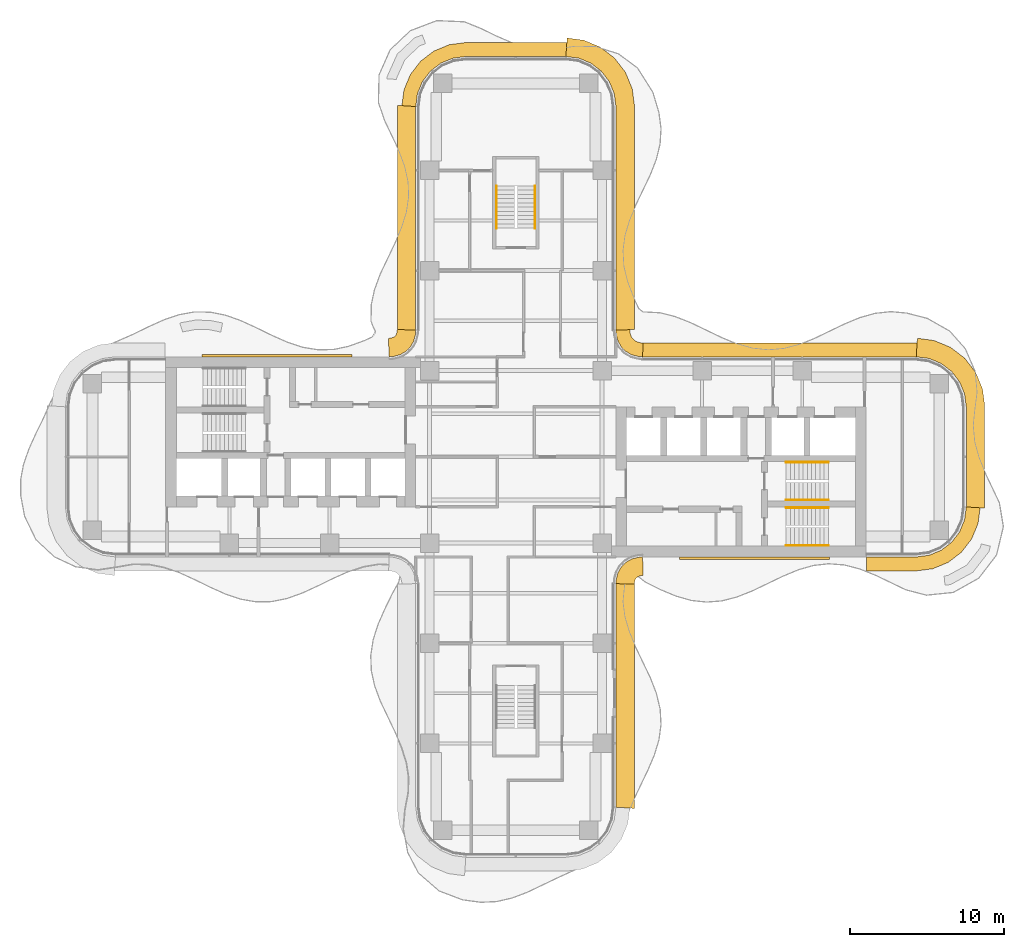
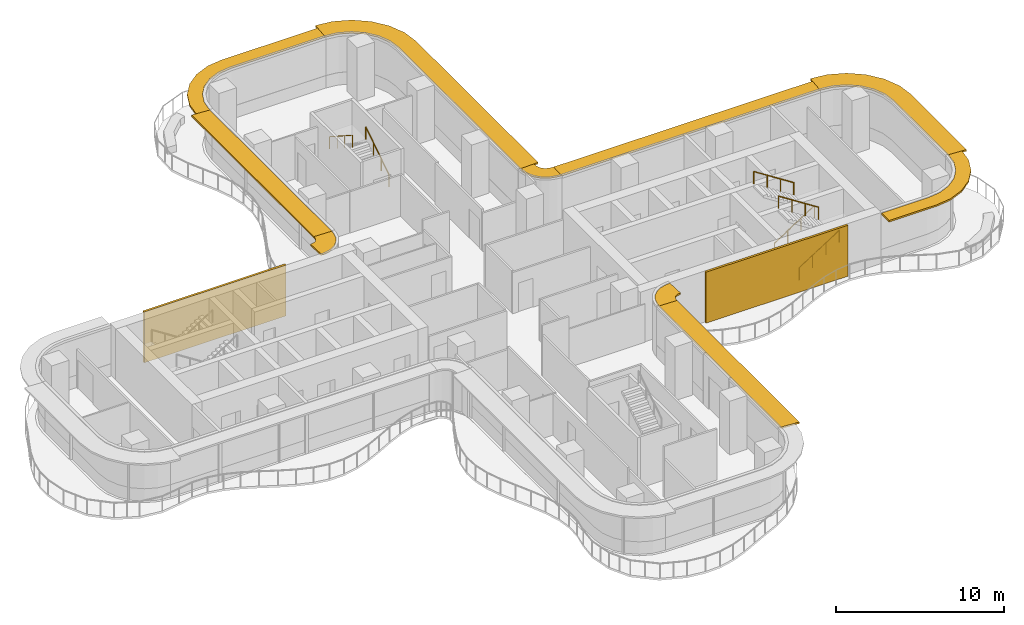
# One storey, part 17 of 17: 10 shading devices, 6 railings, 2 coverings.
"""IFC4 building model written with IfcOpenShell, lengths in metres."""

from ifc_helpers import new_model, si_unit, direction, frame, origin, origin_2d, place, context, subcontext, project, spatial, polyline, circle, outline, extrude, source, transform, mapped, material, layer, layer_set, type_object, element, save


model = new_model("IFC4")

# Units and contexts
model_context = context("Model", 3, precision=1e-05, world=origin(), true_north=direction((0.0, 1.0)))
body_context = subcontext(model_context, "Body", "Model", "MODEL_VIEW")
ifc_project = project(units=[si_unit("LENGTHUNIT", "METRE"), si_unit("AREAUNIT", "SQUARE_METRE"), si_unit("VOLUMEUNIT", "CUBIC_METRE"), si_unit("PLANEANGLEUNIT", "RADIAN"), si_unit("MASSUNIT", "GRAM", prefix="KILO")], contexts=[model_context])

# Site, building, storey
site_placement = place(None, origin())
site = spatial("IfcSite", under=ifc_project, at=site_placement, CompositionType="ELEMENT")
building_placement = place(site_placement, origin())
building = spatial("IfcBuilding", under=site, at=building_placement, Name="Trellis Farm Tower", CompositionType="ELEMENT")
storey_placement = place(building_placement, frame((0.0, 0.0, 165.89990234375)))
storey = spatial("IfcBuildingStorey", under=building, at=storey_placement, Name="L35", CompositionType="ELEMENT", Elevation=165.89990234375)

# Railings
ifc_material_1 = material(Name="Stainless steel", Category="steel")
railing_type = type_object("IfcRailingType", Name="STAIR HANDRAIL 900", PredefinedType="HANDRAIL", material=ifc_material_1)
shared_shape_1 = source(origin(), body_context, "Body", "SweptSolid", [
    extrude(circle(Radius=0.02392578125, at=origin_2d()), frame((0.0, 0.0, 0.8759765625), z_axis=(0.0, 0.840503830235, 0.541805602924), x_axis=(-1.0, 0.0, 0.0)), (0.0, 0.0, 1.0), 3.271728515625),
    extrude(circle(Radius=0.02099609375, at=origin_2d()), origin(), (0.0, 0.0, 1.0), 0.851806640625),
    extrude(circle(Radius=0.02099609375, at=origin_2d()), frame((0.0, 0.916748046875, 0.5908203125)), (0.0, 0.0, 1.0), 0.851806640625),
    extrude(circle(Radius=0.02099609375, at=origin_2d()), frame((0.0, 1.833251953125, 1.181884765625)), (0.0, 0.0, 1.0), 0.851806640625),
    extrude(circle(Radius=0.02099609375, at=origin_2d()), frame((0.0, 2.75, 1.772705078125)), (0.0, 0.0, 1.0), 0.851806640625),
])
railing_1_placement = place(storey_placement, frame((1.25, 14.85009765625, 0.177490234375)))
element("IfcRailing", 1, at=railing_1_placement, inside=storey, type_object=railing_type, Name="Stair handrail", PredefinedType="HANDRAIL", context=body_context, shape_type="MappedRepresentation", body=[
    mapped(shared_shape_1, transform((0.0, 0.0, 0.0))),
])
shared_shape_2 = source(origin(), body_context, "Body", "SweptSolid", [
    extrude(circle(Radius=0.02392578125, at=origin_2d()), frame((0.0, 0.0, 0.8759765625), z_axis=(0.0, -0.840503830235, 0.541805602924), x_axis=(1.0, 0.0, 0.0)), (0.0, 0.0, 1.0), 3.271728515625),
    extrude(circle(Radius=0.02099609375, at=origin_2d()), origin(), (0.0, 0.0, 1.0), 0.851806640625),
    extrude(circle(Radius=0.02099609375, at=origin_2d()), frame((0.0, -0.916748046875, 0.5908203125)), (0.0, 0.0, 1.0), 0.851806640625),
    extrude(circle(Radius=0.02099609375, at=origin_2d()), frame((0.0, -1.833251953125, 1.181884765625)), (0.0, 0.0, 1.0), 0.851806640625),
    extrude(circle(Radius=0.02099609375, at=origin_2d()), frame((0.0, -2.75, 1.772705078125)), (0.0, 0.0, 1.0), 0.851806640625),
])
railing_2_placement = place(storey_placement, frame((-1.25, 17.60009765625, 2.12744140625)))
element("IfcRailing", 2, at=railing_2_placement, inside=storey, type_object=railing_type, Name="Stair handrail", PredefinedType="HANDRAIL", context=body_context, shape_type="MappedRepresentation", body=[
    mapped(shared_shape_2, transform((0.0, 0.0, 0.0))),
])
shared_shape_3 = source(origin(), body_context, "Body", "SweptSolid", [
    extrude(circle(Radius=0.02392578125, at=origin_2d()), frame((0.0, 0.0, 0.8759765625), z_axis=(0.840503830235, 0.0, 0.541805602924), x_axis=(0.0, 1.0, 0.0)), (0.0, 0.0, 1.0), 3.271728515625),
    extrude(circle(Radius=0.02099609375, at=origin_2d()), origin(), (0.0, 0.0, 1.0), 0.851806640625),
    extrude(circle(Radius=0.02099609375, at=origin_2d()), frame((0.916748046875, 0.0, 0.5908203125)), (0.0, 0.0, 1.0), 0.851806640625),
    extrude(circle(Radius=0.02099609375, at=origin_2d()), frame((1.833251953125, 0.0, 1.181884765625)), (0.0, 0.0, 1.0), 0.851806640625),
    extrude(circle(Radius=0.02099609375, at=origin_2d()), frame((2.75, 0.0, 1.772705078125)), (0.0, 0.0, 1.0), 0.851806640625),
])
for number, where, name in (
    (3, (17.550048828125, -5.75, 0.177490234375), "Stair handrail"),
    (4, (17.550048828125, -2.800048828125, 0.177490234375), "Stair handrail"),
):
    element("IfcRailing", number, at=place(storey_placement, frame(where)), inside=storey, type_object=railing_type, Name=name, PredefinedType="HANDRAIL", context=body_context, shape_type="MappedRepresentation", body=[
        mapped(shared_shape_3, transform((0.0, 0.0, 0.0))),
    ])
shared_shape_4 = source(origin(), body_context, "Body", "SweptSolid", [
    extrude(circle(Radius=0.02392578125, at=origin_2d()), frame((0.0, 0.0, 0.8759765625), z_axis=(-0.840503830235, 0.0, 0.541805602924), x_axis=(0.0, -1.0, 0.0)), (0.0, 0.0, 1.0), 3.271728515625),
    extrude(circle(Radius=0.02099609375, at=origin_2d()), origin(), (0.0, 0.0, 1.0), 0.851806640625),
    extrude(circle(Radius=0.02099609375, at=origin_2d()), frame((-0.916748046875, 0.0, 0.5908203125)), (0.0, 0.0, 1.0), 0.851806640625),
    extrude(circle(Radius=0.02099609375, at=origin_2d()), frame((-1.833251953125, 0.0, 1.181884765625)), (0.0, 0.0, 1.0), 0.851806640625),
    extrude(circle(Radius=0.02099609375, at=origin_2d()), frame((-2.75, 0.0, 1.772705078125)), (0.0, 0.0, 1.0), 0.851806640625),
])
for number, where, name in (
    (5, (20.300048828125, -3.300048828125, 2.12744140625), "Stair handrail"),
    (6, (20.300048828125, -0.35009765625, 2.12744140625), "Stair handrail"),
):
    element("IfcRailing", number, at=place(storey_placement, frame(where)), inside=storey, type_object=railing_type, Name=name, PredefinedType="HANDRAIL", context=body_context, shape_type="MappedRepresentation", body=[
        mapped(shared_shape_4, transform((0.0, 0.0, 0.0))),
    ])

# Shading devices
ifc_material_2 = material(Name="Aluminium extrusion 6063-T6", Category="aluminium")
ifc_layer_1 = layer(ifc_material_2, 0.1201171875)
ifc_layer_set_1 = layer_set([ifc_layer_1], Name="SUNSHADE BLADE 1200")
shading_device_type_1 = type_object("IfcShadingDeviceType", Name="SUNSHADE BLADE 1200", PredefinedType="USERDEFINED", material=ifc_layer_set_1)
shared_shape_5 = source(origin(), body_context, "Body", "SweptSolid", [
    extrude(outline(polyline([(7.699951171875, -22.82861328125), (7.699951171875, -8.270751953125), (6.5, -8.2314453125), (6.5, -22.75), (7.699951171875, -22.82861328125)])), origin(), (0.0, 0.0, 1.0), 0.1201171875),
])
placement_1 = place(storey_placement, frame((0.0, 0.0, 3.5400390625)))
element("IfcShadingDevice", 7, at=placement_1, inside=storey, type_object=shading_device_type_1, Name="SD2 005", ObjectType="SUNSHADE", PredefinedType="USERDEFINED", context=body_context, shape_type="MappedRepresentation", body=[
    mapped(shared_shape_5, transform((0.0, 0.0, 0.0))),
])
shared_shape_6 = source(origin(), body_context, "Body", "SweptSolid", [
    extrude(outline(polyline([(7.699951171875, -8.270751953125), (7.708740234375, -8.13720703125), (7.70703125, -8.150146484375), (7.7548828125, -7.9716796875), (7.80712890625, -7.881103515625), (7.881103515625, -7.80712890625), (7.9716796875, -7.7548828125), (8.150146484375, -7.70703125), (8.13720703125, -7.708740234375), (8.270751953125, -7.699951171875), (8.2314453125, -6.5), (8.01953125, -6.513916015625), (7.91552734375, -6.527587890625), (7.508544921875, -6.63671875), (7.144287109375, -6.846923828125), (6.846923828125, -7.144287109375), (6.63671875, -7.508544921875), (6.527587890625, -7.91552734375), (6.513916015625, -8.01953125), (6.5, -8.2314453125), (7.699951171875, -8.270751953125)])), origin(), (0.0, 0.0, 1.0), 0.1201171875),
])
element("IfcShadingDevice", 8, at=placement_1, inside=storey, type_object=shading_device_type_1, Name="SD2 006", ObjectType="SUNSHADE", PredefinedType="USERDEFINED", context=body_context, shape_type="MappedRepresentation", body=[
    mapped(shared_shape_6, transform((0.0, 0.0, 0.0))),
])
ifc_layer_2 = layer(ifc_material_2, 0.1201171875)
ifc_layer_set_2 = layer_set([ifc_layer_2], Name="SUNSHADE BLADE 900")
shading_device_type_2 = type_object("IfcShadingDeviceType", Name="SUNSHADE BLADE 900", PredefinedType="USERDEFINED", material=ifc_layer_set_2)
shared_shape_7 = source(origin(), body_context, "Body", "SweptSolid", [
    extrude(outline(polyline([(22.780029296875, -7.39990234375), (26.05908203125, -7.39990234375), (27.076171875, -7.26611328125), (28.078857421875, -6.850830078125), (28.93994140625, -6.18994140625), (29.600830078125, -5.328857421875), (30.01611328125, -4.326171875), (30.14990234375, -3.30908203125), (29.25, -3.25), (29.13916015625, -4.091064453125), (28.814697265625, -4.875), (28.298095703125, -5.548095703125), (27.625, -6.064697265625), (26.841064453125, -6.38916015625), (26.0, -6.5), (22.780029296875, -6.5), (22.780029296875, -7.39990234375)])), origin(), (0.0, 0.0, 1.0), 0.1201171875),
])
element("IfcShadingDevice", 9, at=placement_1, inside=storey, type_object=shading_device_type_2, Name="SD1 007", ObjectType="SUNSHADE", PredefinedType="USERDEFINED", context=body_context, shape_type="MappedRepresentation", body=[
    mapped(shared_shape_7, transform((0.0, 0.0, 0.0))),
])
shared_shape_8 = source(origin(), body_context, "Body", "SweptSolid", [
    extrude(outline(polyline([(30.449951171875, -3.32861328125), (30.449951171875, 3.32861328125), (30.308349609375, 4.404541015625), (29.86279296875, 5.480224609375), (29.154052734375, 6.404052734375), (28.230224609375, 7.11279296875), (27.154541015625, 7.558349609375), (26.07861328125, 7.699951171875), (26.0, 6.5), (26.841064453125, 6.38916015625), (27.625, 6.064697265625), (28.298095703125, 5.548095703125), (28.814697265625, 4.875), (29.13916015625, 4.091064453125), (29.25, 3.25), (29.25, -3.25), (30.449951171875, -3.32861328125)])), origin(), (0.0, 0.0, 1.0), 0.1201171875),
])
element("IfcShadingDevice", 10, at=placement_1, inside=storey, type_object=shading_device_type_1, Name="SD2 008", ObjectType="SUNSHADE", PredefinedType="USERDEFINED", context=body_context, shape_type="MappedRepresentation", body=[
    mapped(shared_shape_8, transform((0.0, 0.0, 0.0))),
])
shared_shape_9 = source(origin(), body_context, "Body", "SweptSolid", [
    extrude(outline(polyline([(26.05908203125, 7.39990234375), (8.2607421875, 7.39990234375), (8.2314453125, 6.5), (26.0, 6.5), (26.05908203125, 7.39990234375)])), origin(), (0.0, 0.0, 1.0), 0.1201171875),
])
element("IfcShadingDevice", 11, at=placement_1, inside=storey, type_object=shading_device_type_2, Name="SD1 009", ObjectType="SUNSHADE", PredefinedType="USERDEFINED", context=body_context, shape_type="MappedRepresentation", body=[
    mapped(shared_shape_9, transform((0.0, 0.0, 0.0))),
])
shared_shape_10 = source(origin(), body_context, "Body", "SweptSolid", [
    extrude(outline(polyline([(8.2607421875, 7.39990234375), (8.107666015625, 7.409912109375), (8.091552734375, 7.412109375), (7.85595703125, 7.475341796875), (7.697021484375, 7.567138671875), (7.567138671875, 7.697021484375), (7.475341796875, 7.85595703125), (7.412109375, 8.091552734375), (7.409912109375, 8.107666015625), (7.39990234375, 8.2607421875), (6.5, 8.2314453125), (6.513916015625, 8.01953125), (6.527587890625, 7.91552734375), (6.63671875, 7.508544921875), (6.846923828125, 7.144287109375), (7.144287109375, 6.846923828125), (7.508544921875, 6.63671875), (7.91552734375, 6.527587890625), (8.01953125, 6.513916015625), (8.2314453125, 6.5), (8.2607421875, 7.39990234375)])), origin(), (0.0, 0.0, 1.0), 0.1201171875),
])
element("IfcShadingDevice", 12, at=placement_1, inside=storey, type_object=shading_device_type_2, Name="SD1 010", ObjectType="SUNSHADE", PredefinedType="USERDEFINED", context=body_context, shape_type="MappedRepresentation", body=[
    mapped(shared_shape_10, transform((0.0, 0.0, 0.0))),
])
shared_shape_11 = source(origin(), body_context, "Body", "SweptSolid", [
    extrude(outline(polyline([(7.699951171875, 8.270751953125), (7.699951171875, 22.82861328125), (7.558349609375, 23.904541015625), (7.11279296875, 24.980224609375), (6.404052734375, 25.904052734375), (5.480224609375, 26.61279296875), (4.404541015625, 27.058349609375), (3.32861328125, 27.199951171875), (3.25, 26.0), (4.091064453125, 25.88916015625), (4.875, 25.564697265625), (5.548095703125, 25.048095703125), (6.064697265625, 24.375), (6.38916015625, 23.591064453125), (6.5, 22.75), (6.5, 8.2314453125), (7.699951171875, 8.270751953125)])), origin(), (0.0, 0.0, 1.0), 0.1201171875),
])
element("IfcShadingDevice", 13, at=placement_1, inside=storey, type_object=shading_device_type_1, Name="SD2 011", ObjectType="SUNSHADE", PredefinedType="USERDEFINED", context=body_context, shape_type="MappedRepresentation", body=[
    mapped(shared_shape_11, transform((0.0, 0.0, 0.0))),
])
shared_shape_12 = source(origin(), body_context, "Body", "SweptSolid", [
    extrude(outline(polyline([(3.30908203125, 26.89990234375), (-3.30908203125, 26.89990234375), (-4.326171875, 26.76611328125), (-5.328857421875, 26.350830078125), (-6.18994140625, 25.68994140625), (-6.850830078125, 24.828857421875), (-7.26611328125, 23.826171875), (-7.39990234375, 22.80908203125), (-6.5, 22.75), (-6.38916015625, 23.591064453125), (-6.064697265625, 24.375), (-5.548095703125, 25.048095703125), (-4.875, 25.564697265625), (-4.091064453125, 25.88916015625), (-3.25, 26.0), (3.25, 26.0), (3.30908203125, 26.89990234375)])), origin(), (0.0, 0.0, 1.0), 0.1201171875),
])
element("IfcShadingDevice", 14, at=placement_1, inside=storey, type_object=shading_device_type_2, Name="SD1 012", ObjectType="SUNSHADE", PredefinedType="USERDEFINED", context=body_context, shape_type="MappedRepresentation", body=[
    mapped(shared_shape_12, transform((0.0, 0.0, 0.0))),
])
shared_shape_13 = source(origin(), body_context, "Body", "SweptSolid", [
    extrude(outline(polyline([(-7.699951171875, 22.82861328125), (-7.699951171875, 8.270751953125), (-6.5, 8.2314453125), (-6.5, 22.75), (-7.699951171875, 22.82861328125)])), origin(), (0.0, 0.0, 1.0), 0.1201171875),
])
element("IfcShadingDevice", 15, at=placement_1, inside=storey, type_object=shading_device_type_1, Name="SD2 013", ObjectType="SUNSHADE", PredefinedType="USERDEFINED", context=body_context, shape_type="MappedRepresentation", body=[
    mapped(shared_shape_13, transform((0.0, 0.0, 0.0))),
])
shared_shape_14 = source(origin(), body_context, "Body", "SweptSolid", [
    extrude(outline(polyline([(-7.699951171875, 8.270751953125), (-7.708740234375, 8.13720703125), (-7.70703125, 8.150146484375), (-7.7548828125, 7.9716796875), (-7.80712890625, 7.881103515625), (-7.881103515625, 7.80712890625), (-7.9716796875, 7.7548828125), (-8.150146484375, 7.70703125), (-8.13720703125, 7.708740234375), (-8.270751953125, 7.699951171875), (-8.2314453125, 6.5), (-8.01953125, 6.513916015625), (-7.91552734375, 6.527587890625), (-7.508544921875, 6.63671875), (-7.144287109375, 6.846923828125), (-6.846923828125, 7.144287109375), (-6.63671875, 7.508544921875), (-6.527587890625, 7.91552734375), (-6.513916015625, 8.01953125), (-6.5, 8.2314453125), (-7.699951171875, 8.270751953125)])), origin(), (0.0, 0.0, 1.0), 0.1201171875),
])
element("IfcShadingDevice", 16, at=placement_1, inside=storey, type_object=shading_device_type_1, Name="SD2 014", ObjectType="SUNSHADE", PredefinedType="USERDEFINED", context=body_context, shape_type="MappedRepresentation", body=[
    mapped(shared_shape_14, transform((0.0, 0.0, 0.0))),
])

# Coverings
ifc_material_3 = material(Name="Perforated precast screen (cobogo)", Category="concrete")
ifc_layer_3 = layer(ifc_material_3, 0.14990234375)
ifc_layer_set_3 = layer_set([ifc_layer_3], Name="COBOGO SCREEN PANEL")
covering_type = type_object("IfcCoveringType", Name="COBOGO SCREEN PANEL", PredefinedType="USERDEFINED", material=ifc_layer_set_3)
shared_shape_15 = source(origin(), body_context, "Body", "SweptSolid", [
    extrude(outline(polyline([(10.630615234375, -6.64990234375), (20.380615234375, -6.64990234375), (20.380615234375, -6.5), (10.630615234375, -6.5), (10.630615234375, -6.64990234375)])), origin(), (0.0, 0.0, 1.0), 3.7001953125),
])
placement_2 = place(storey_placement, origin())
element("IfcCovering", 17, at=placement_2, inside=storey, type_object=covering_type, Name="SC1 01", ObjectType="SCREEN", PredefinedType="USERDEFINED", context=body_context, shape_type="MappedRepresentation", body=[
    mapped(shared_shape_15, transform((0.0, 0.0, 0.0))),
])
shared_shape_16 = source(origin(), body_context, "Body", "SweptSolid", [
    extrude(outline(polyline([(-10.630615234375, 6.64990234375), (-20.380615234375, 6.64990234375), (-20.380615234375, 6.5), (-10.630615234375, 6.5), (-10.630615234375, 6.64990234375)])), origin(), (0.0, 0.0, 1.0), 3.7001953125),
])
element("IfcCovering", 18, at=placement_2, inside=storey, type_object=covering_type, Name="SC1 02", ObjectType="SCREEN", PredefinedType="USERDEFINED", context=body_context, shape_type="MappedRepresentation", body=[
    mapped(shared_shape_16, transform((0.0, 0.0, 0.0))),
])

save(model, "model.ifc")
